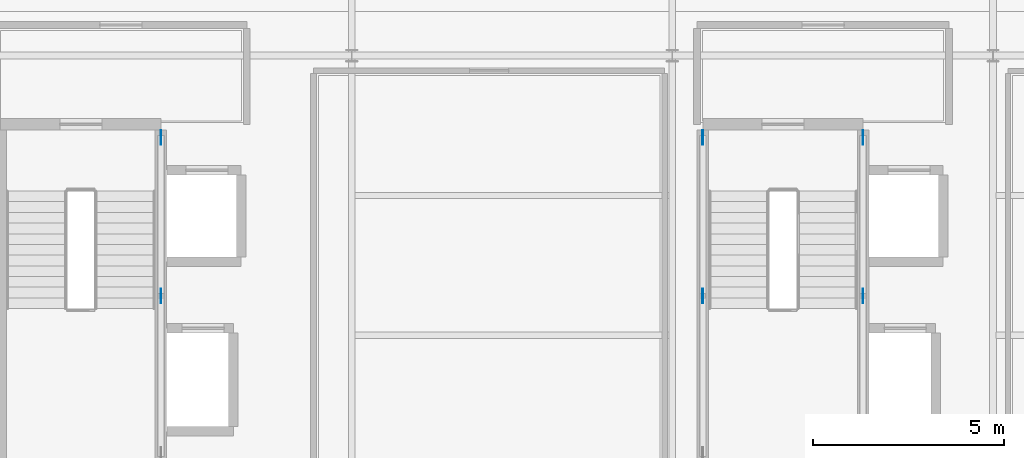
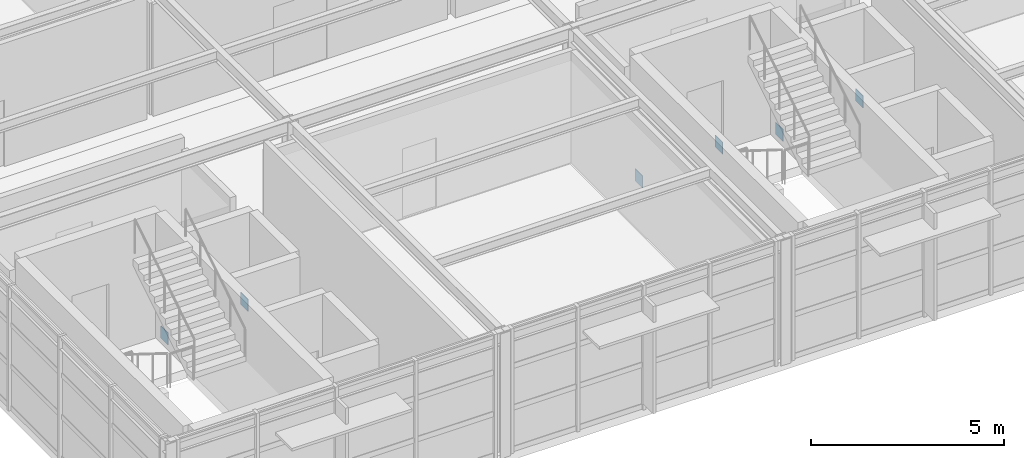
# One storey, part 15 of 21: 6 plates.
"""IFC4 building model written with IfcOpenShell, lengths in metres."""

from ifc_helpers import new_model, si_unit, direction, frame, origin, origin_2d, place, context, subcontext, project, spatial, rectangle, extrude, material, layer, layer_set, type_object, element, save


model = new_model("IFC4")

# Units and contexts
model_context = context("Model", 3, precision=1e-05, world=origin(), true_north=direction((0.0, 1.0)))
body_context = subcontext(model_context, "Body", "Model", "MODEL_VIEW")
ifc_project = project(units=[si_unit("LENGTHUNIT", "METRE"), si_unit("AREAUNIT", "SQUARE_METRE"), si_unit("VOLUMEUNIT", "CUBIC_METRE"), si_unit("PLANEANGLEUNIT", "RADIAN"), si_unit("MASSUNIT", "GRAM", prefix="KILO")], contexts=[model_context])

# Site, building, storey
site_placement = place(None, origin())
site = spatial("IfcSite", under=ifc_project, at=site_placement, CompositionType="ELEMENT")
building_placement = place(site_placement, origin())
building = spatial("IfcBuilding", under=site, at=building_placement, Name="Sitalva Quay Ferry Terminal", CompositionType="ELEMENT")
storey_placement = place(building_placement, frame((0.0, 0.0, 14.39990234375)))
storey = spatial("IfcBuildingStorey", under=building, at=storey_placement, Name="L04", CompositionType="ELEMENT", Elevation=14.39990234375)

# Plates
ifc_material = material(Name="Structural Steel S355JR", Category="steel")
ifc_layer = layer(ifc_material, 0.01806640625)
ifc_layer_set = layer_set([ifc_layer], Name="Structural Steel S355JR")
plate_type = type_object("IfcPlateType", Name="Gusset_380x380x18", PredefinedType="USERDEFINED", material=ifc_layer_set)
for number, where, z_axis, x_axis, name in (
    (1, (79.0, 82.699951171875, 3.5400390625), (0.0, 0.0, 1.0), (1.0, 0.0, 0.0), "Braced frame BF2 L04 APEX gusset"),
    (2, (79.0, 86.85009765625, -0.039794921875), (0.0, 0.0, 1.0), (1.0, 0.0, 0.0), "Braced frame BF2 L04 BASE-B gusset"),
    (3, (97.39990234375, 82.699951171875, 3.5400390625), (0.0, 0.0, 1.0), (1.0, 0.0, 0.0), "Braced frame BF3 L04 APEX gusset"),
    (4, (97.39990234375, 86.85009765625, -0.039794921875), (0.0, 0.0, 1.0), (1.0, 0.0, 0.0), "Braced frame BF3 L04 BASE-B gusset"),
    (5, (93.199951171875, 82.699951171875, 3.5400390625), (0.0, 0.0, 1.0), (1.0, 0.0, 0.0), "Braced frame BF6 L04 APEX gusset"),
    (6, (93.199951171875, 86.85009765625, -0.039794921875), (0.0, 0.0, 1.0), (1.0, 0.0, 0.0), "Braced frame BF6 L04 BASE-B gusset"),
):
    element("IfcPlate", number, at=place(storey_placement, frame(where, z_axis=z_axis, x_axis=x_axis)), inside=storey, type_object=plate_type, Name=name, ObjectType="FLANGE_PLATE", PredefinedType="USERDEFINED", context=body_context, shape_type="SweptSolid", body=[
        extrude(rectangle(XDim=0.01806640625, YDim=0.3798828125, at=origin_2d()), origin(), (0.0, 0.0, 1.0), 0.3798828125),
    ])

save(model, "model.ifc")
